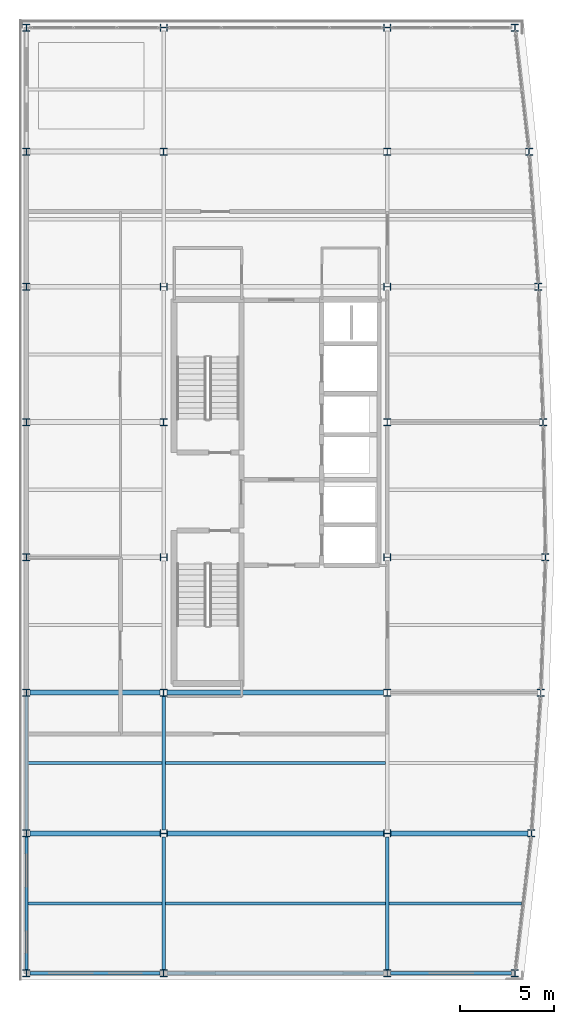
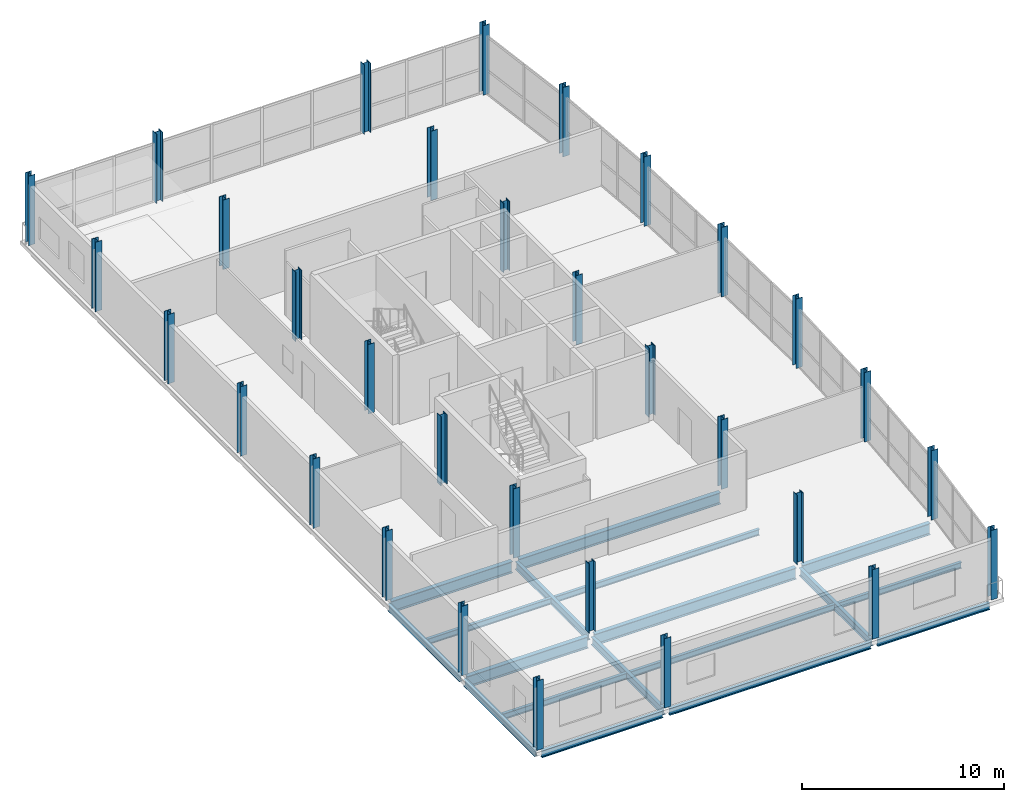
# One storey, part 1 of 20: 32 columns, 18 beams.
"""IFC4 building model written with IfcOpenShell, lengths in metres."""

from ifc_helpers import new_model, si_unit, direction, frame, origin, origin_2d, place, context, subcontext, project, spatial, i_section, extrude, material, material_profile, profile_set, type_object, element, save


model = new_model("IFC4")

# Units and contexts
model_context = context("Model", 3, precision=1e-05, world=origin(), true_north=direction((0.0, 1.0)))
body_context = subcontext(model_context, "Body", "Model", "MODEL_VIEW")
ifc_project = project(units=[si_unit("LENGTHUNIT", "METRE"), si_unit("AREAUNIT", "SQUARE_METRE"), si_unit("VOLUMEUNIT", "CUBIC_METRE"), si_unit("PLANEANGLEUNIT", "RADIAN"), si_unit("MASSUNIT", "GRAM", prefix="KILO")], contexts=[model_context])

# Site, building, storey
site_placement = place(None, origin())
site = spatial("IfcSite", under=ifc_project, at=site_placement, CompositionType="ELEMENT")
building_placement = place(site_placement, origin())
building = spatial("IfcBuilding", under=site, at=building_placement, Name="Quillay Park Conservatory", CompositionType="ELEMENT")
storey_placement = place(building_placement, frame((0.0, 0.0, 26.699951171875)))
storey = spatial("IfcBuildingStorey", under=building, at=storey_placement, Name="L06", CompositionType="ELEMENT", Elevation=26.699951171875)

# Columns
ifc_material_1 = material(Name="Steel ASTM A992 Grade 50", Category="steel")
ifc_material_profile_1 = material_profile(ifc_material_1, i_section(OverallWidth=0.3740234375, OverallDepth=0.3720703125, WebThickness=0.016357421875, FlangeThickness=0.026123046875, FilletRadius=0.014892578125, at=origin_2d()), Name="W360x196")
ifc_profile_set_1 = profile_set([ifc_material_profile_1], Name="Steel ASTM A992 Grade 50")
column_type = type_object("IfcColumnType", Name="COMPOSITE STEEL COLUMN W360 X196", PredefinedType="COLUMN", material=ifc_profile_set_1)
for number, where, z_axis, x_axis, name in (
    (1, (0.550048828125, 63.050048828125, 0.0), (0.0, 0.0, 1.0), (1.0, 0.0, 0.0), "L06 column COL-V4-L06-0-0"),
    (2, (7.85009765625, 63.050048828125, 0.0), (0.0, 0.0, 1.0), (1.0, 0.0, 0.0), "L06 column COL-V4-L06-0-1"),
    (3, (19.75, 63.050048828125, 0.0), (0.0, 0.0, 1.0), (1.0, 0.0, 0.0), "L06 column COL-V4-L06-0-2"),
    (4, (26.550048828125, 63.050048828125, 0.0), (0.0, 0.0, 1.0), (1.0, 0.0, 0.0), "L06 column COL-V4-L06-0-3"),
    (5, (0.550048828125, 70.5, 0.0), (0.0, 0.0, 1.0), (1.0, 0.0, 0.0), "L06 column COL-V4-L06-1-0"),
    (6, (7.85009765625, 70.5, 0.0), (0.0, 0.0, 1.0), (0.0, 1.0, 0.0), "L06 column COL-V4-L06-1-1"),
    (7, (19.75, 70.5, 0.0), (0.0, 0.0, 1.0), (0.0, 1.0, 0.0), "L06 column COL-V4-L06-1-2"),
    (8, (27.425048828125, 70.5, 0.0), (0.0, 0.0, 1.0), (1.0, 0.0, 0.0), "L06 column COL-V4-L06-1-3"),
    (9, (0.550048828125, 78.0, 0.0), (0.0, 0.0, 1.0), (1.0, 0.0, 0.0), "L06 column COL-V4-L06-2-0"),
    (10, (7.85009765625, 78.0, 0.0), (0.0, 0.0, 1.0), (1.0, 0.0, 0.0), "L06 column COL-V4-L06-2-1"),
    (11, (19.75, 78.0, 0.0), (0.0, 0.0, 1.0), (1.0, 0.0, 0.0), "L06 column COL-V4-L06-2-2"),
    (12, (27.925048828125, 78.0, 0.0), (0.0, 0.0, 1.0), (1.0, 0.0, 0.0), "L06 column COL-V4-L06-2-3"),
    (13, (0.550048828125, 85.199951171875, 0.0), (0.0, 0.0, 1.0), (1.0, 0.0, 0.0), "L06 column COL-V4-L06-3-0"),
    (14, (7.85009765625, 85.199951171875, 0.0), (0.0, 0.0, 1.0), (0.0, 1.0, 0.0), "L06 column COL-V4-L06-3-1"),
    (15, (19.75, 85.199951171875, 0.0), (0.0, 0.0, 1.0), (0.0, 1.0, 0.0), "L06 column COL-V4-L06-3-2"),
    (16, (28.175048828125, 85.199951171875, 0.0), (0.0, 0.0, 1.0), (1.0, 0.0, 0.0), "L06 column COL-V4-L06-3-3"),
    (17, (0.550048828125, 92.39990234375, 0.0), (0.0, 0.0, 1.0), (1.0, 0.0, 0.0), "L06 column COL-V4-L06-4-0"),
    (18, (7.85009765625, 92.39990234375, 0.0), (0.0, 0.0, 1.0), (1.0, 0.0, 0.0), "L06 column COL-V4-L06-4-1"),
    (19, (19.75, 92.39990234375, 0.0), (0.0, 0.0, 1.0), (1.0, 0.0, 0.0), "L06 column COL-V4-L06-4-2"),
    (20, (28.050048828125, 92.39990234375, 0.0), (0.0, 0.0, 1.0), (1.0, 0.0, 0.0), "L06 column COL-V4-L06-4-3"),
    (21, (0.550048828125, 99.60009765625, 0.0), (0.0, 0.0, 1.0), (1.0, 0.0, 0.0), "L06 column COL-V4-L06-5-0"),
    (22, (7.85009765625, 99.60009765625, 0.0), (0.0, 0.0, 1.0), (0.0, 1.0, 0.0), "L06 column COL-V4-L06-5-1"),
    (23, (19.75, 99.60009765625, 0.0), (0.0, 0.0, 1.0), (0.0, 1.0, 0.0), "L06 column COL-V4-L06-5-2"),
    (24, (27.800048828125, 99.60009765625, 0.0), (0.0, 0.0, 1.0), (1.0, 0.0, 0.0), "L06 column COL-V4-L06-5-3"),
    (25, (0.550048828125, 106.800048828125, 0.0), (0.0, 0.0, 1.0), (1.0, 0.0, 0.0), "L06 column COL-V4-L06-6-0"),
    (26, (7.85009765625, 106.800048828125, 0.0), (0.0, 0.0, 1.0), (1.0, 0.0, 0.0), "L06 column COL-V4-L06-6-1"),
    (27, (19.75, 106.800048828125, 0.0), (0.0, 0.0, 1.0), (1.0, 0.0, 0.0), "L06 column COL-V4-L06-6-2"),
    (28, (27.300048828125, 106.800048828125, 0.0), (0.0, 0.0, 1.0), (1.0, 0.0, 0.0), "L06 column COL-V4-L06-6-3"),
    (29, (0.550048828125, 113.39990234375, 0.0), (0.0, 0.0, 1.0), (1.0, 0.0, 0.0), "L06 column COL-V4-L06-7-0"),
    (30, (7.85009765625, 113.39990234375, 0.0), (0.0, 0.0, 1.0), (0.0, 1.0, 0.0), "L06 column COL-V4-L06-7-1"),
    (31, (19.75, 113.39990234375, 0.0), (0.0, 0.0, 1.0), (0.0, 1.0, 0.0), "L06 column COL-V4-L06-7-2"),
    (32, (26.550048828125, 113.39990234375, 0.0), (0.0, 0.0, 1.0), (1.0, 0.0, 0.0), "L06 column COL-V4-L06-7-3"),
):
    element("IfcColumn", number, at=place(storey_placement, frame(where, z_axis=z_axis, x_axis=x_axis)), inside=storey, type_object=column_type, Name=name, PredefinedType="COLUMN", context=body_context, shape_type="SweptSolid", body=[
        extrude(i_section(OverallWidth=0.3740234375, OverallDepth=0.3720703125, WebThickness=0.016357421875, FlangeThickness=0.026123046875, FilletRadius=0.014892578125, at=origin_2d()), origin(), (0.0, 0.0, 1.0), 4.199951171875),
    ])

# Beams
ifc_material_2 = material(Name="Steel ASTM A992 Grade 50", Category="steel")
ifc_material_profile_2 = material_profile(ifc_material_2, i_section(OverallWidth=0.172119140625, OverallDepth=0.35791015625, WebThickness=0.0078125, FlangeThickness=0.01318359375, FilletRadius=0.010986328125, at=origin_2d()), Name="W360x57")
ifc_profile_set_2 = profile_set([ifc_material_profile_2], Name="Steel ASTM A992 Grade 50")
beam_type_1 = type_object("IfcBeamType", Name="COMPOSITE FLOOR JOIST W360 X57", PredefinedType="JOIST", material=ifc_profile_set_2)
beam_1_placement = place(storey_placement, frame((0.639892578125, 66.77490234375, -0.39892578125), z_axis=(1.0, 0.0, 0.0), x_axis=(0.0, 1.0, 0.0)))
element("IfcBeam", 33, at=beam_1_placement, inside=storey, type_object=beam_type_1, Name="L06 beam BM-J-0474", PredefinedType="JOIST", context=body_context, shape_type="SweptSolid", body=[
    extrude(i_section(OverallWidth=0.172119140625, OverallDepth=0.35791015625, WebThickness=0.0078125, FlangeThickness=0.01318359375, FilletRadius=0.010986328125, at=origin_2d()), origin(), (0.0, 0.0, 1.0), 7.114013671875),
])
beam_2_placement = place(storey_placement, frame((19.845947265625, 66.77490234375, -0.39892578125), z_axis=(1.0, 0.0, 0.0), x_axis=(0.0, 1.0, 0.0)))
element("IfcBeam", 34, at=beam_2_placement, inside=storey, type_object=beam_type_1, Name="L06 beam BM-J-0475", PredefinedType="JOIST", context=body_context, shape_type="SweptSolid", body=[
    extrude(i_section(OverallWidth=0.172119140625, OverallDepth=0.35791015625, WebThickness=0.0078125, FlangeThickness=0.01318359375, FilletRadius=0.010986328125, at=origin_2d()), origin(), (0.0, 0.0, 1.0), 7.051513671875),
])
beam_3_placement = place(storey_placement, frame((7.946044921875, 66.77490234375, -0.39892578125), z_axis=(1.0, 0.0, 0.0), x_axis=(0.0, 1.0, 0.0)))
element("IfcBeam", 35, at=beam_3_placement, inside=storey, type_object=beam_type_1, Name="L06 beam BM-J-0476", PredefinedType="JOIST", context=body_context, shape_type="SweptSolid", body=[
    extrude(i_section(OverallWidth=0.172119140625, OverallDepth=0.35791015625, WebThickness=0.0078125, FlangeThickness=0.01318359375, FilletRadius=0.010986328125, at=origin_2d()), origin(), (0.0, 0.0, 1.0), 11.7080078125),
])
beam_4_placement = place(storey_placement, frame((0.639892578125, 74.25, -0.39892578125), z_axis=(1.0, 0.0, 0.0), x_axis=(0.0, 1.0, 0.0)))
element("IfcBeam", 36, at=beam_4_placement, inside=storey, type_object=beam_type_1, Name="L06 beam BM-J-0481", PredefinedType="JOIST", context=body_context, shape_type="SweptSolid", body=[
    extrude(i_section(OverallWidth=0.172119140625, OverallDepth=0.35791015625, WebThickness=0.0078125, FlangeThickness=0.01318359375, FilletRadius=0.010986328125, at=origin_2d()), origin(), (0.0, 0.0, 1.0), 7.114013671875),
])
beam_5_placement = place(storey_placement, frame((7.946044921875, 74.25, -0.39892578125), z_axis=(1.0, 0.0, 0.0), x_axis=(0.0, 1.0, 0.0)))
element("IfcBeam", 37, at=beam_5_placement, inside=storey, type_object=beam_type_1, Name="L06 beam BM-J-0483", PredefinedType="JOIST", context=body_context, shape_type="SweptSolid", body=[
    extrude(i_section(OverallWidth=0.172119140625, OverallDepth=0.35791015625, WebThickness=0.0078125, FlangeThickness=0.01318359375, FilletRadius=0.010986328125, at=origin_2d()), origin(), (0.0, 0.0, 1.0), 11.7080078125),
])
ifc_material_3 = material(Name="Steel ASTM A992 Grade 50", Category="steel")
ifc_material_profile_3 = material_profile(ifc_material_3, i_section(OverallWidth=0.179931640625, OverallDepth=0.4130859375, WebThickness=0.009765625, FlangeThickness=0.01611328125, FilletRadius=0.011962890625, at=origin_2d()), Name="W410x74")
ifc_profile_set_3 = profile_set([ifc_material_profile_3], Name="Steel ASTM A992 Grade 50")
beam_type_2 = type_object("IfcBeamType", Name="PERIMETER SPANDREL BEAM W410 X74", PredefinedType="SPANDREL", material=ifc_profile_set_3)
beam_6_placement = place(storey_placement, frame((0.737060546875, 63.050048828125, -0.426513671875), z_axis=(1.0, 0.0, 0.0), x_axis=(0.0, 1.0, 0.0)))
element("IfcBeam", 38, at=beam_6_placement, inside=storey, type_object=beam_type_2, Name="L06 beam BM-SP-0448", PredefinedType="SPANDREL", context=body_context, shape_type="SweptSolid", body=[
    extrude(i_section(OverallWidth=0.179931640625, OverallDepth=0.4130859375, WebThickness=0.009765625, FlangeThickness=0.01611328125, FilletRadius=0.011962890625, at=origin_2d()), origin(), (0.0, 0.0, 1.0), 6.926025390625),
])
beam_7_placement = place(storey_placement, frame((8.037109375, 63.050048828125, -0.426513671875), z_axis=(1.0, 0.0, 0.0), x_axis=(0.0, 1.0, 0.0)))
element("IfcBeam", 39, at=beam_7_placement, inside=storey, type_object=beam_type_2, Name="L06 beam BM-SP-0449", PredefinedType="SPANDREL", context=body_context, shape_type="SweptSolid", body=[
    extrude(i_section(OverallWidth=0.179931640625, OverallDepth=0.4130859375, WebThickness=0.009765625, FlangeThickness=0.01611328125, FilletRadius=0.011962890625, at=origin_2d()), origin(), (0.0, 0.0, 1.0), 11.52587890625),
])
beam_8_placement = place(storey_placement, frame((19.93701171875, 63.050048828125, -0.426513671875), z_axis=(1.0, 0.0, 0.0), x_axis=(0.0, 1.0, 0.0)))
element("IfcBeam", 40, at=beam_8_placement, inside=storey, type_object=beam_type_2, Name="L06 beam BM-SP-0450", PredefinedType="SPANDREL", context=body_context, shape_type="SweptSolid", body=[
    extrude(i_section(OverallWidth=0.179931640625, OverallDepth=0.4130859375, WebThickness=0.009765625, FlangeThickness=0.01611328125, FilletRadius=0.011962890625, at=origin_2d()), origin(), (0.0, 0.0, 1.0), 6.426025390625),
])
beam_9_placement = place(storey_placement, frame((0.550048828125, 63.236083984375, -0.426513671875), z_axis=(0.0, 1.0, 0.0), x_axis=(-1.0, 0.0, 0.0)))
element("IfcBeam", 41, at=beam_9_placement, inside=storey, type_object=beam_type_2, Name="L06 beam BM-SPW-0470", PredefinedType="SPANDREL", context=body_context, shape_type="SweptSolid", body=[
    extrude(i_section(OverallWidth=0.179931640625, OverallDepth=0.4130859375, WebThickness=0.009765625, FlangeThickness=0.01611328125, FilletRadius=0.011962890625, at=origin_2d()), origin(), (0.0, 0.0, 1.0), 7.077880859375),
])
beam_10_placement = place(storey_placement, frame((0.550048828125, 70.68603515625, -0.426513671875), z_axis=(0.0, 1.0, 0.0), x_axis=(-1.0, 0.0, 0.0)))
element("IfcBeam", 42, at=beam_10_placement, inside=storey, type_object=beam_type_2, Name="L06 beam BM-SPW-0477", PredefinedType="SPANDREL", context=body_context, shape_type="SweptSolid", body=[
    extrude(i_section(OverallWidth=0.179931640625, OverallDepth=0.4130859375, WebThickness=0.009765625, FlangeThickness=0.01611328125, FilletRadius=0.011962890625, at=origin_2d()), origin(), (0.0, 0.0, 1.0), 7.1279296875),
])
ifc_material_4 = material(Name="Steel ASTM A992 Grade 50", Category="steel")
ifc_material_profile_4 = material_profile(ifc_material_4, i_section(OverallWidth=0.19189453125, OverallDepth=0.462890625, WebThickness=0.010498046875, FlangeThickness=0.017578125, FilletRadius=0.012939453125, at=origin_2d()), Name="W460x89")
ifc_profile_set_4 = profile_set([ifc_material_profile_4], Name="Steel ASTM A992 Grade 50")
beam_type_3 = type_object("IfcBeamType", Name="PRIMARY FLOOR GIRDER W460 X89", PredefinedType="BEAM", material=ifc_profile_set_4)
for number, where, z_axis, x_axis, name in (
    (43, (7.85009765625, 63.236083984375, -0.451416015625), (0.0, 1.0, 0.0), (-1.0, 0.0, 0.0), "L06 beam BM-GNS-0472"),
    (44, (19.75, 63.236083984375, -0.451416015625), (0.0, 1.0, 0.0), (-1.0, 0.0, 0.0), "L06 beam BM-GNS-0473"),
):
    element("IfcBeam", number, at=place(storey_placement, frame(where, z_axis=z_axis, x_axis=x_axis)), inside=storey, type_object=beam_type_3, Name=name, PredefinedType="BEAM", context=body_context, shape_type="SweptSolid", body=[
        extrude(i_section(OverallWidth=0.19189453125, OverallDepth=0.462890625, WebThickness=0.010498046875, FlangeThickness=0.017578125, FilletRadius=0.012939453125, at=origin_2d()), origin(), (0.0, 0.0, 1.0), 7.076904296875),
    ])
beam_11_placement = place(storey_placement, frame((7.85009765625, 70.68701171875, -0.451416015625), z_axis=(0.0, 1.0, 0.0), x_axis=(-1.0, 0.0, 0.0)))
element("IfcBeam", 45, at=beam_11_placement, inside=storey, type_object=beam_type_3, Name="L06 beam BM-GNS-0479", PredefinedType="BEAM", context=body_context, shape_type="SweptSolid", body=[
    extrude(i_section(OverallWidth=0.19189453125, OverallDepth=0.462890625, WebThickness=0.010498046875, FlangeThickness=0.017578125, FilletRadius=0.012939453125, at=origin_2d()), origin(), (0.0, 0.0, 1.0), 7.126953125),
])
ifc_material_5 = material(Name="Steel ASTM A992 Grade 50", Category="steel")
ifc_material_profile_5 = material_profile(ifc_material_5, i_section(OverallWidth=0.256103515625, OverallDepth=0.693115234375, WebThickness=0.014404296875, FlangeThickness=0.023681640625, FilletRadius=0.01611328125, at=origin_2d()), Name="W690x170")
ifc_profile_set_5 = profile_set([ifc_material_profile_5], Name="Steel ASTM A992 Grade 50")
beam_type_4 = type_object("IfcBeamType", Name="PRIMARY FLOOR GIRDER W690 X170", PredefinedType="BEAM", material=ifc_profile_set_5)
beam_12_placement = place(storey_placement, frame((0.737060546875, 70.5, -0.56640625), z_axis=(1.0, 0.0, 0.0), x_axis=(0.0, 1.0, 0.0)))
element("IfcBeam", 46, at=beam_12_placement, inside=storey, type_object=beam_type_4, Name="L06 beam BM-HB-0451", PredefinedType="BEAM", context=body_context, shape_type="SweptSolid", body=[
    extrude(i_section(OverallWidth=0.256103515625, OverallDepth=0.693115234375, WebThickness=0.014404296875, FlangeThickness=0.023681640625, FilletRadius=0.01611328125, at=origin_2d()), origin(), (0.0, 0.0, 1.0), 6.927001953125),
])
beam_13_placement = place(storey_placement, frame((8.035888671875, 70.5, -0.56640625), z_axis=(1.0, 0.0, 0.0), x_axis=(0.0, 1.0, 0.0)))
element("IfcBeam", 47, at=beam_13_placement, inside=storey, type_object=beam_type_4, Name="L06 beam BM-HB-0452", PredefinedType="BEAM", context=body_context, shape_type="SweptSolid", body=[
    extrude(i_section(OverallWidth=0.256103515625, OverallDepth=0.693115234375, WebThickness=0.014404296875, FlangeThickness=0.023681640625, FilletRadius=0.01611328125, at=origin_2d()), origin(), (0.0, 0.0, 1.0), 11.528076171875),
])
beam_14_placement = place(storey_placement, frame((19.93603515625, 70.5, -0.56640625), z_axis=(1.0, 0.0, 0.0), x_axis=(0.0, 1.0, 0.0)))
element("IfcBeam", 48, at=beam_14_placement, inside=storey, type_object=beam_type_4, Name="L06 beam BM-HB-0453", PredefinedType="BEAM", context=body_context, shape_type="SweptSolid", body=[
    extrude(i_section(OverallWidth=0.256103515625, OverallDepth=0.693115234375, WebThickness=0.014404296875, FlangeThickness=0.023681640625, FilletRadius=0.01611328125, at=origin_2d()), origin(), (0.0, 0.0, 1.0), 7.302001953125),
])
beam_15_placement = place(storey_placement, frame((0.737060546875, 78.0, -0.56640625), z_axis=(1.0, 0.0, 0.0), x_axis=(0.0, 1.0, 0.0)))
element("IfcBeam", 49, at=beam_15_placement, inside=storey, type_object=beam_type_4, Name="L06 beam BM-HB-0454", PredefinedType="BEAM", context=body_context, shape_type="SweptSolid", body=[
    extrude(i_section(OverallWidth=0.256103515625, OverallDepth=0.693115234375, WebThickness=0.014404296875, FlangeThickness=0.023681640625, FilletRadius=0.01611328125, at=origin_2d()), origin(), (0.0, 0.0, 1.0), 6.926025390625),
])
beam_16_placement = place(storey_placement, frame((8.037109375, 78.0, -0.56640625), z_axis=(1.0, 0.0, 0.0), x_axis=(0.0, 1.0, 0.0)))
element("IfcBeam", 50, at=beam_16_placement, inside=storey, type_object=beam_type_4, Name="L06 beam BM-HB-0455", PredefinedType="BEAM", context=body_context, shape_type="SweptSolid", body=[
    extrude(i_section(OverallWidth=0.256103515625, OverallDepth=0.693115234375, WebThickness=0.014404296875, FlangeThickness=0.023681640625, FilletRadius=0.01611328125, at=origin_2d()), origin(), (0.0, 0.0, 1.0), 11.52587890625),
])

save(model, "model.ifc")
